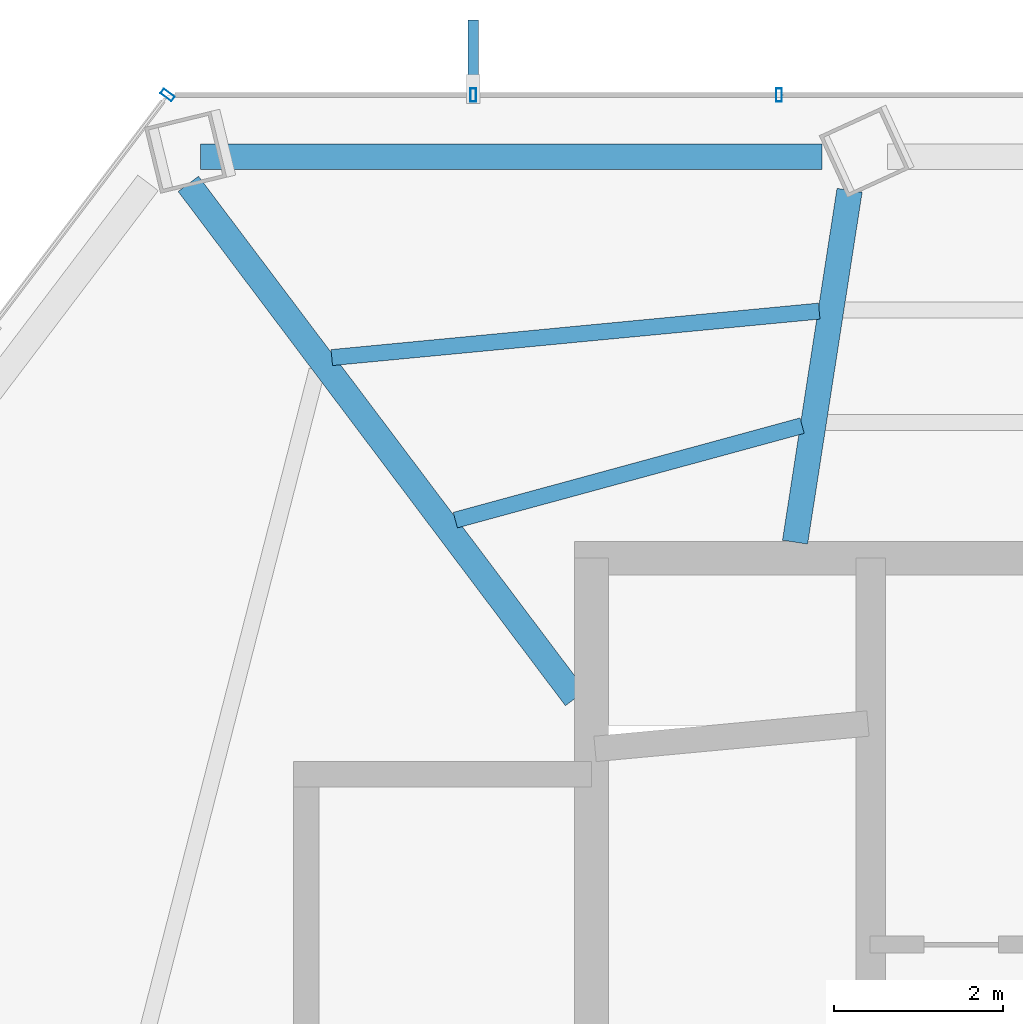
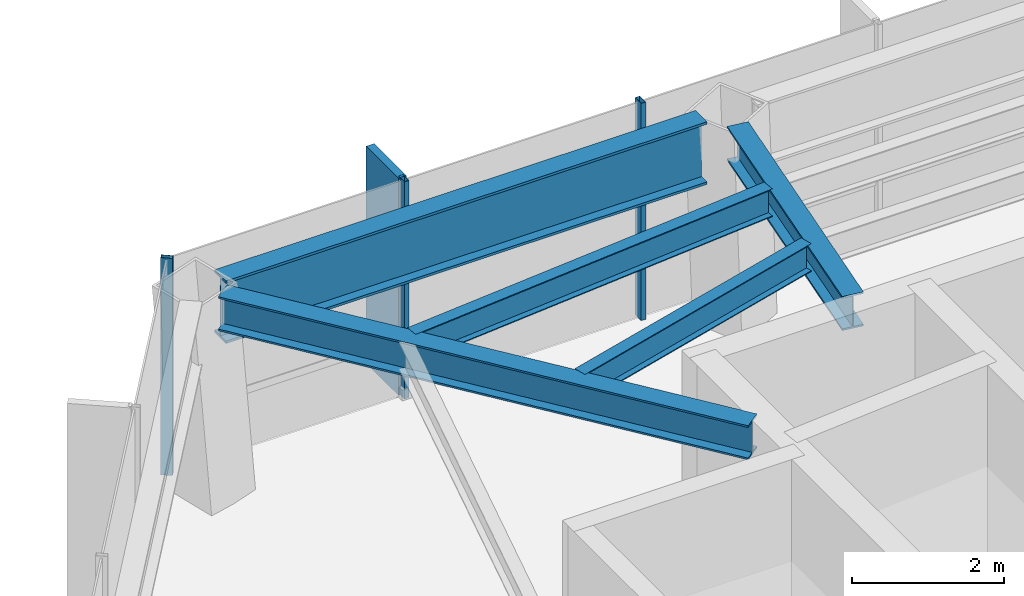
# One storey, part 14 of 30: 5 beams, 4 members, 2 elements without a shape of their own.
"""IFC4 building model written with IfcOpenShell, lengths in metres."""

from ifc_helpers import new_model, si_unit, direction, frame, origin, origin_2d, place, context, subcontext, project, spatial, rectangle, hollow_rectangle, i_section, extrude, material, layer, layer_set, material_profile, profile_set, type_object, element, aggregate, save


model = new_model("IFC4")

# Units and contexts
model_context = context("Model", 3, precision=1e-05, world=origin(), true_north=direction((0.0, 1.0)))
body_context = subcontext(model_context, "Body", "Model", "MODEL_VIEW")
ifc_project = project(units=[si_unit("LENGTHUNIT", "METRE"), si_unit("AREAUNIT", "SQUARE_METRE"), si_unit("VOLUMEUNIT", "CUBIC_METRE"), si_unit("PLANEANGLEUNIT", "RADIAN"), si_unit("MASSUNIT", "GRAM", prefix="KILO")], contexts=[model_context])

# Site, building, storey
site_placement = place(None, origin())
site = spatial("IfcSite", under=ifc_project, at=site_placement, CompositionType="ELEMENT")
building_placement = place(site_placement, origin())
building = spatial("IfcBuilding", under=site, at=building_placement, Name="Zarrinselat Tower", CompositionType="ELEMENT")
storey_placement = place(building_placement, frame((0.0, 0.0, 160.820068359375)))
storey = spatial("IfcBuildingStorey", under=building, at=storey_placement, Name="L39", CompositionType="ELEMENT", Elevation=160.820068359375)

# Beams
ifc_material_1 = material(Name="Steel S355J2", Category="steel")
ifc_material_profile_1 = material_profile(ifc_material_1, i_section(OverallWidth=0.300048828125, OverallDepth=0.550048828125, WebThickness=0.014892578125, FlangeThickness=0.029052734375, at=origin_2d()), Name="HEB 550")
ifc_profile_set_1 = profile_set([ifc_material_profile_1], Name="Steel S355J2")
beam_type_1 = type_object("IfcBeamType", Name="BM-HEB550", PredefinedType="BEAM", material=ifc_profile_set_1)
beam_1_placement = place(storey_placement, frame((31.0, 43.639892578125, 3.224853515625), z_axis=(0.153126973553, 0.988206521923, 0.0), x_axis=(-0.988206521923, 0.153126973553, 0.0)))
element("IfcBeam", 1, at=beam_1_placement, inside=storey, type_object=beam_type_1, Name="L39 Radial Primary Girder RG04", PredefinedType="BEAM", context=body_context, shape_type="SweptSolid", body=[
    extrude(i_section(OverallWidth=0.300048828125, OverallDepth=0.550048828125, WebThickness=0.014892578125, FlangeThickness=0.029052734375, at=origin_2d()), origin(), (0.0, 0.0, 1.0), 4.201171875),
])
beam_2_placement = place(storey_placement, frame((23.840087890625, 47.867919921875, 3.224853515625), z_axis=(0.601592943303, -0.798802810816, 0.0), x_axis=(0.798802810816, 0.601592943303, 0.0)))
element("IfcBeam", 2, at=beam_2_placement, inside=storey, type_object=beam_type_1, Name="L39 Radial Primary Girder RG05", PredefinedType="BEAM", context=body_context, shape_type="SweptSolid", body=[
    extrude(i_section(OverallWidth=0.300048828125, OverallDepth=0.550048828125, WebThickness=0.014892578125, FlangeThickness=0.029052734375, at=origin_2d()), origin(), (0.0, 0.0, 1.0), 7.59619140625),
])
ifc_material_2 = material(Name="Steel S460M", Category="steel")
ifc_material_profile_2 = material_profile(ifc_material_2, i_section(OverallWidth=0.302001953125, OverallDepth=1.008056640625, WebThickness=0.02099609375, FlangeThickness=0.0400390625, at=origin_2d()), Name="HEM 1000")
ifc_profile_set_2 = profile_set([ifc_material_profile_2], Name="Steel S460M")
beam_type_2 = type_object("IfcBeamType", Name="BM-HEM1000", PredefinedType="BEAM", material=ifc_profile_set_2)
beam_3_placement = place(storey_placement, frame((23.986328125, 48.18896484375, 2.995849609375), z_axis=(1.0, 0.0, 0.0), x_axis=(0.0, 1.0, 0.0)))
element("IfcBeam", 3, at=beam_3_placement, inside=storey, type_object=beam_type_2, Name="L39 Perimeter Spandrel Girder SP04", PredefinedType="BEAM", context=body_context, shape_type="SweptSolid", body=[
    extrude(i_section(OverallWidth=0.302001953125, OverallDepth=1.008056640625, WebThickness=0.02099609375, FlangeThickness=0.0400390625, at=origin_2d()), origin(), (0.0, 0.0, 1.0), 7.330322265625),
])
ifc_material_3 = material(Name="Steel S355J2", Category="steel")
ifc_material_profile_3 = material_profile(ifc_material_3, i_section(OverallWidth=0.18994140625, OverallDepth=0.449951171875, WebThickness=0.009521484375, FlangeThickness=0.0146484375, at=origin_2d()), Name="IPE 450")
ifc_profile_set_3 = profile_set([ifc_material_profile_3], Name="Steel S355J2")
beam_type_3 = type_object("IfcBeamType", Name="BM-IPE450", PredefinedType="JOIST", material=ifc_profile_set_3)
beam_4_placement = place(storey_placement, frame((25.533203125, 45.818115234375, 3.27490234375), z_axis=(0.995482740228, 0.094942687491, 0.0), x_axis=(-0.094942687491, 0.995482740228, 0.0)))
element("IfcBeam", 4, at=beam_4_placement, inside=storey, type_object=beam_type_3, Name="L39 Composite Floor Joist 9-1", PredefinedType="JOIST", context=body_context, shape_type="SweptSolid", body=[
    extrude(i_section(OverallWidth=0.18994140625, OverallDepth=0.449951171875, WebThickness=0.009521484375, FlangeThickness=0.0146484375, at=origin_2d()), origin(), (0.0, 0.0, 1.0), 5.778076171875),
])
beam_5_placement = place(storey_placement, frame((26.9912109375, 43.89990234375, 3.27490234375), z_axis=(0.964843477319, 0.262825159136, 0.0), x_axis=(-0.262825159136, 0.964843477319, 0.0)))
element("IfcBeam", 5, at=beam_5_placement, inside=storey, type_object=beam_type_3, Name="L39 Composite Floor Joist 9-2", PredefinedType="JOIST", context=body_context, shape_type="SweptSolid", body=[
    extrude(i_section(OverallWidth=0.18994140625, OverallDepth=0.449951171875, WebThickness=0.009521484375, FlangeThickness=0.0146484375, at=origin_2d()), origin(), (0.0, 0.0, 1.0), 4.241455078125),
])

# Curtain wall, member
ifc_material_4 = material(Name="Extruded Aluminium Alloy EN AW-6063 T6", Category="aluminium")
ifc_layer = layer(ifc_material_4, 0.175048828125)
ifc_layer_set = layer_set([ifc_layer], Name="Extruded Aluminium Alloy EN AW-6063 T6")
curtain_wall_type = type_object("IfcCurtainWallType", Name="CWS-HTL", PredefinedType="NOTDEFINED", material=ifc_layer_set)
curtain_wall_1_placement = place(storey_placement, origin())
curtain_wall_1 = element("IfcCurtainWall", 6, at=curtain_wall_1_placement, inside=storey, type_object=curtain_wall_type, Name="L39 Unitised Curtain Wall CW-L39-E02", PredefinedType="NOTDEFINED")
ifc_material_5 = material(Name="Extruded Aluminium Alloy EN AW-6063 T6", Category="aluminium")
ifc_material_profile_4 = material_profile(ifc_material_5, hollow_rectangle(XDim=0.070068359375, YDim=0.159912109375, WallThickness=0.00390625, at=origin_2d()), Name="RHS 160x70x4")
ifc_profile_set_4 = profile_set([ifc_material_profile_4], Name="Extruded Aluminium Alloy EN AW-6063 T6")
member_type_1 = type_object("IfcMemberType", Name="MEM-CW-MUL2", PredefinedType="MULLION", material=ifc_profile_set_4)
member_1_placement = place(storey_placement, frame((23.594970703125, 48.916748046875, 0.0), z_axis=(0.0, 0.0, 1.0), x_axis=(0.603857687995, 0.797092148154, 0.0)))
member_1 = element("IfcMember", 7, at=member_1_placement, type_object=member_type_1, Name="CW-L39-E02 Mullion 4", PredefinedType="MULLION", context=body_context, shape_type="SweptSolid", body=[
    extrude(hollow_rectangle(XDim=0.070068359375, YDim=0.159912109375, WallThickness=0.00390625, at=origin_2d()), origin(), (0.0, 0.0, 1.0), 3.5),
])
aggregate(curtain_wall_1, [member_1])

# Curtain wall, members
curtain_wall_2_placement = place(storey_placement, origin())
curtain_wall_2 = element("IfcCurtainWall", 8, at=curtain_wall_2_placement, inside=storey, type_object=curtain_wall_type, Name="L39 Unitised Curtain Wall CW-L39-E03", PredefinedType="NOTDEFINED")
member_2_placement = place(storey_placement, frame((27.202880859375, 48.916748046875, 0.0), z_axis=(0.0, 0.0, 1.0), x_axis=(1.0, 0.0, 0.0)))
member_2 = element("IfcMember", 9, at=member_2_placement, type_object=member_type_1, Name="CW-L39-E03 Mullion 1", PredefinedType="MULLION", context=body_context, shape_type="SweptSolid", body=[
    extrude(hollow_rectangle(XDim=0.070068359375, YDim=0.159912109375, WallThickness=0.00390625, at=origin_2d()), origin(), (0.0, 0.0, 1.0), 3.5),
])
member_3_placement = place(storey_placement, frame((30.810546875, 48.916748046875, 0.0), z_axis=(0.0, 0.0, 1.0), x_axis=(1.0, 0.0, 0.0)))
member_3 = element("IfcMember", 10, at=member_3_placement, type_object=member_type_1, Name="CW-L39-E03 Mullion 2", PredefinedType="MULLION", context=body_context, shape_type="SweptSolid", body=[
    extrude(hollow_rectangle(XDim=0.070068359375, YDim=0.159912109375, WallThickness=0.00390625, at=origin_2d()), origin(), (0.0, 0.0, 1.0), 3.5),
])
ifc_material_6 = material(Name="Honed Cream Travertine Stone", Category="masonry")
ifc_material_profile_5 = material_profile(ifc_material_6, rectangle(XDim=0.1201171875, YDim=0.85009765625, at=origin_2d()), Name="FIN 850x120")
ifc_profile_set_5 = profile_set([ifc_material_profile_5], Name="Honed Cream Travertine Stone")
member_type_2 = type_object("IfcMemberType", Name="MEM-STONE-FIN", PredefinedType="USERDEFINED", material=ifc_profile_set_5)
member_4_placement = place(storey_placement, frame((27.202880859375, 49.376708984375, 0.0), z_axis=(0.0, 0.0, 1.0), x_axis=(1.0, 0.0, 0.0)))
member_4 = element("IfcMember", 11, at=member_4_placement, type_object=member_type_2, Name="L39 Stone Shading Fin CW-L39-E03-01", ObjectType="FIN", PredefinedType="USERDEFINED", context=body_context, shape_type="SweptSolid", body=[
    extrude(rectangle(XDim=0.1201171875, YDim=0.85009765625, at=origin_2d()), origin(), (0.0, 0.0, 1.0), 3.5),
])
aggregate(curtain_wall_2, [member_2, member_4, member_3])

save(model, "model.ifc")
